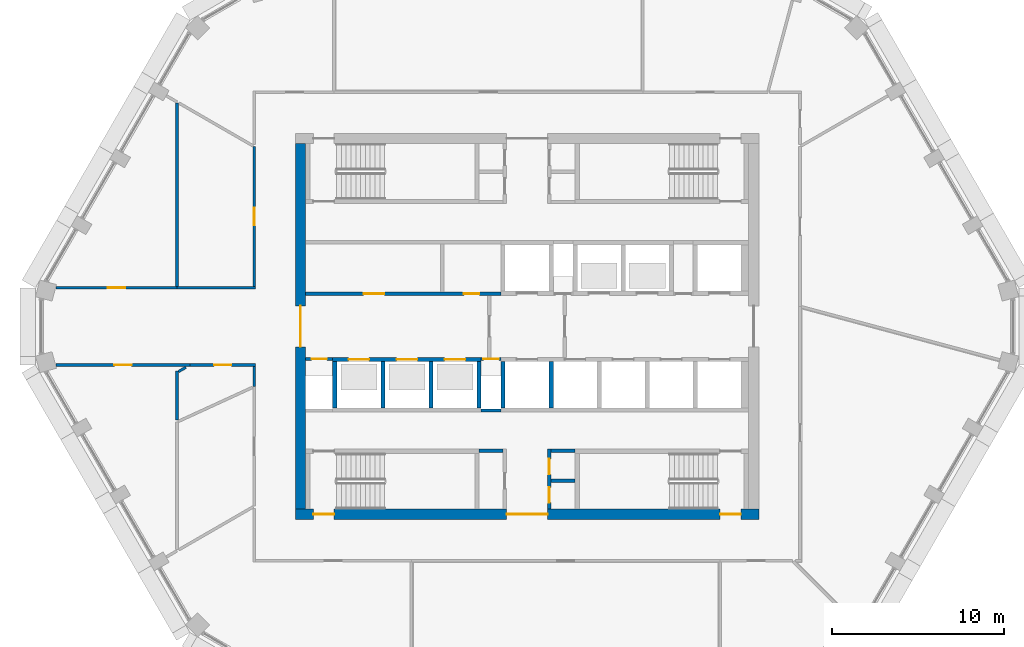
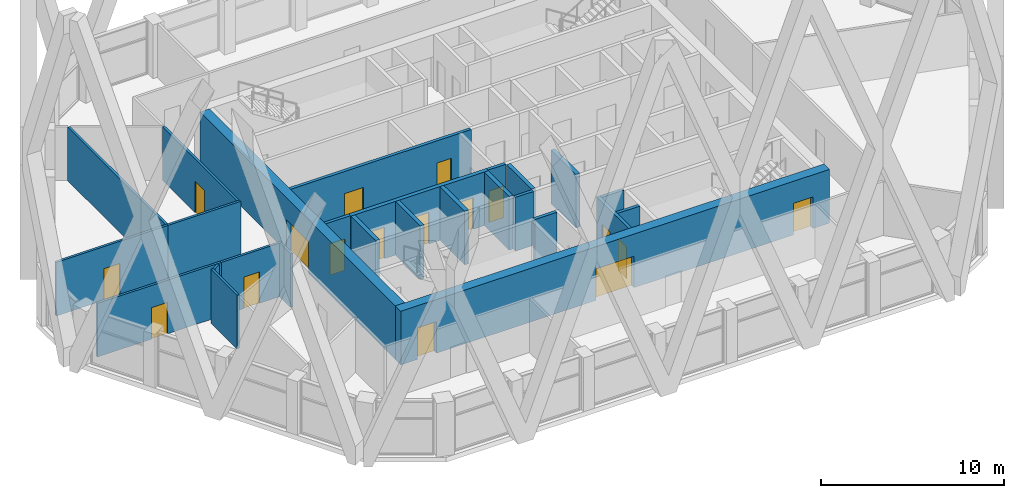
# One storey, part 9 of 20: 26 walls, 17 doors, 17 openings.
"""IFC4 building model written with IfcOpenShell, lengths in metres."""

from ifc_helpers import new_model, si_unit, direction, frame, frame_2d, origin, place, context, subcontext, project, spatial, polyline, rectangle, outline, extrude, material, layer, layer_set, type_object, element, fill, save


model = new_model("IFC4")

# Units and contexts
model_context = context("Model", 3, precision=1e-05, world=origin(), true_north=direction((0.0, 1.0)))
body_context = subcontext(model_context, "Body", "Model", "MODEL_VIEW")
ifc_project = project(units=[si_unit("LENGTHUNIT", "METRE"), si_unit("AREAUNIT", "SQUARE_METRE"), si_unit("VOLUMEUNIT", "CUBIC_METRE"), si_unit("PLANEANGLEUNIT", "RADIAN"), si_unit("MASSUNIT", "GRAM", prefix="KILO")], contexts=[model_context])

# Site, building, storey
site_placement = place(None, origin())
site = spatial("IfcSite", under=ifc_project, at=site_placement, CompositionType="ELEMENT")
building_placement = place(site_placement, origin())
building = spatial("IfcBuilding", under=site, at=building_placement, Name="Dhurran Vertical Campus", CompositionType="ELEMENT")
storey_placement = place(building_placement, frame((0.0, 0.0, 235.199951171875)))
storey = spatial("IfcBuildingStorey", under=building, at=storey_placement, Name="L58", CompositionType="ELEMENT", Elevation=235.199951171875)

# Wall, openings, doors
ifc_material_1 = material(Name="Concrete C50/60", Category="concrete")
ifc_layer_1 = layer(ifc_material_1, 0.60009765625)
ifc_layer_set_1 = layer_set([ifc_layer_1], Name="Concrete C50/60")
wall_type_1 = type_object("IfcWallType", Name="co-CORE-WALL-C2-600", PredefinedType="SHEAR", material=ifc_layer_set_1)
wall_1_placement = place(storey_placement, frame((-13.5, -10.949951171875, 0.0), z_axis=(0.0, 0.0, 1.0), x_axis=(1.0, 0.0, 0.0)))
wall_1 = element("IfcWall", 1, at=wall_1_placement, inside=storey, type_object=wall_type_1, Name="Core wall S L58", PredefinedType="SHEAR", context=body_context, shape_type="SweptSolid", body=[
    extrude(rectangle(XDim=27.0, YDim=0.60009765625, at=frame_2d((13.5, 0.0))), origin(), (0.0, 0.0, 1.0), 3.574951171875),
])
opening_1_placement = place(wall_1_placement, frame((12.300048828125, 0.0, 0.0)))
opening_1 = element("IfcOpeningElement", 2, at=opening_1_placement, cuts=wall_1, Name="Opening CV2", PredefinedType="OPENING", context=body_context, shape_type="SweptSolid", body=[
    extrude(rectangle(XDim=2.39990234375, YDim=2.10009765625, at=frame_2d((1.199951171875, 1.050048828125))), frame((0.0, 0.31005859375, 0.0), z_axis=(0.0, -1.0, 0.0), x_axis=(1.0, 0.0, 0.0)), (0.0, 0.0, 1.0), 0.6201171875),
])
opening_2_placement = place(wall_1_placement, frame((1.050048828125, 0.0, 0.0)))
opening_2 = element("IfcOpeningElement", 3, at=opening_2_placement, cuts=wall_1, Name="Opening XD3", PredefinedType="OPENING", context=body_context, shape_type="SweptSolid", body=[
    extrude(rectangle(XDim=1.199951171875, YDim=2.10009765625, at=frame_2d((0.60009765625, 1.050048828125))), frame((0.0, 0.31005859375, 0.0), z_axis=(0.0, -1.0, 0.0), x_axis=(1.0, 0.0, 0.0)), (0.0, 0.0, 1.0), 0.6201171875),
])
opening_3_placement = place(wall_1_placement, frame((24.75, 0.0, 0.0)))
opening_3 = element("IfcOpeningElement", 4, at=opening_3_placement, cuts=wall_1, Name="Opening XD4", PredefinedType="OPENING", context=body_context, shape_type="SweptSolid", body=[
    extrude(rectangle(XDim=1.199951171875, YDim=2.10009765625, at=frame_2d((0.60009765625, 1.050048828125))), frame((0.0, 0.31005859375, 0.0), z_axis=(0.0, -1.0, 0.0), x_axis=(1.0, 0.0, 0.0)), (0.0, 0.0, 1.0), 0.6201171875),
])
ifc_material_2 = material(Name="Fire-rated glazed door set")
door_type_1 = type_object("IfcDoorType", Name="co-D-LOBBY 2400x2100", OperationType="DOUBLE_DOOR_DOUBLE_SWING", PredefinedType="DOOR", material=ifc_material_2)
door_1_placement = place(opening_1_placement, origin())
door_1 = element("IfcDoor", 5, at=door_1_placement, inside=storey, type_object=door_type_1, Name="Core vestibule door S L58", OperationType="DOUBLE_DOOR_DOUBLE_SWING", OverallHeight=2.10009765625, OverallWidth=2.39990234375, PredefinedType="DOOR", context=body_context, shape_type="SweptSolid", body=[
    extrude(rectangle(XDim=2.39990234375, YDim=2.10009765625, at=frame_2d((1.199951171875, 1.050048828125))), frame((0.0, 0.02490234375, 0.0), z_axis=(0.0, -1.0, 0.0), x_axis=(1.0, 0.0, 0.0)), (0.0, 0.0, 1.0), 0.050048828125),
])
fill(opening_1, door_1)
ifc_material_3 = material(Name="Fire-rated steel door set", Category="steel")
door_type_2 = type_object("IfcDoorType", Name="co-D-STAIR-EXIT 1200x2100", OperationType="SINGLE_SWING_RIGHT", PredefinedType="DOOR", material=ifc_material_3)
door_2_placement = place(opening_2_placement, origin())
door_2 = element("IfcDoor", 6, at=door_2_placement, inside=storey, type_object=door_type_2, Name="Stair ST3 exit door L58", OperationType="SINGLE_SWING_RIGHT", OverallHeight=2.10009765625, OverallWidth=1.199951171875, PredefinedType="DOOR", context=body_context, shape_type="SweptSolid", body=[
    extrude(rectangle(XDim=1.199951171875, YDim=2.10009765625, at=frame_2d((0.60009765625, 1.050048828125))), frame((0.0, 0.02490234375, 0.0), z_axis=(0.0, -1.0, 0.0), x_axis=(1.0, 0.0, 0.0)), (0.0, 0.0, 1.0), 0.050048828125),
])
fill(opening_2, door_2)
door_3_placement = place(opening_3_placement, origin())
door_3 = element("IfcDoor", 7, at=door_3_placement, inside=storey, type_object=door_type_2, Name="Stair ST4 exit door L58", OperationType="SINGLE_SWING_RIGHT", OverallHeight=2.10009765625, OverallWidth=1.199951171875, PredefinedType="DOOR", context=body_context, shape_type="SweptSolid", body=[
    extrude(rectangle(XDim=1.199951171875, YDim=2.10009765625, at=frame_2d((0.60009765625, 1.050048828125))), frame((0.0, 0.02490234375, 0.0), z_axis=(0.0, -1.0, 0.0), x_axis=(1.0, 0.0, 0.0)), (0.0, 0.0, 1.0), 0.050048828125),
])
fill(opening_3, door_3)

# Wall, opening, door
wall_2_placement = place(storey_placement, frame((-13.199951171875, -10.64990234375, 0.0), z_axis=(0.0, 0.0, 1.0), x_axis=(0.0, 1.0, 0.0)))
wall_2 = element("IfcWall", 8, at=wall_2_placement, inside=storey, type_object=wall_type_1, Name="Core wall W L58", PredefinedType="SHEAR", context=body_context, shape_type="SweptSolid", body=[
    extrude(rectangle(XDim=21.2998046875, YDim=0.60009765625, at=frame_2d((10.64990234375, 0.0))), origin(), (0.0, 0.0, 1.0), 3.574951171875),
])
opening_4_placement = place(wall_2_placement, frame((9.449951171875, 0.0, 0.0)))
opening_4 = element("IfcOpeningElement", 9, at=opening_4_placement, cuts=wall_2, Name="Opening CL1", PredefinedType="OPENING", context=body_context, shape_type="SweptSolid", body=[
    extrude(rectangle(XDim=2.39990234375, YDim=2.10009765625, at=frame_2d((1.199951171875, 1.050048828125))), frame((0.0, 0.31005859375, 0.0), z_axis=(0.0, -1.0, 0.0), x_axis=(1.0, 0.0, 0.0)), (0.0, 0.0, 1.0), 0.6201171875),
])
door_4_placement = place(opening_4_placement, origin())
door_4 = element("IfcDoor", 10, at=door_4_placement, inside=storey, type_object=door_type_1, Name="Lift lobby door W L58", OperationType="DOUBLE_DOOR_DOUBLE_SWING", OverallHeight=2.10009765625, OverallWidth=2.39990234375, PredefinedType="DOOR", context=body_context, shape_type="SweptSolid", body=[
    extrude(rectangle(XDim=2.39990234375, YDim=2.10009765625, at=frame_2d((1.199951171875, 1.050048828125))), frame((0.0, 0.02490234375, 0.0), z_axis=(0.0, -1.0, 0.0), x_axis=(1.0, 0.0, 0.0)), (0.0, 0.0, 1.0), 0.050048828125),
])
fill(opening_4, door_4)

# Walls
ifc_material_4 = material(Name="Fire-rated masonry blockwork", Category="masonry")
ifc_layer_2 = layer(ifc_material_4, 0.199951171875)
ifc_layer_set_2 = layer_set([ifc_layer_2], Name="Fire-rated masonry blockwork")
wall_type_2 = type_object("IfcWallType", Name="co-FIRE-PARTITION-200", PredefinedType="PARTITIONING", material=ifc_layer_set_2)
for number, where, z_axis, x_axis, name in (
    (11, (-2.800048828125, -7.25, 0.0), (0.0, 0.0, 1.0), (1.0, 0.0, 0.0), "Core partition sl-SW-S L58"),
    (12, (1.39990234375, -7.25, 0.0), (0.0, 0.0, 1.0), (1.0, 0.0, 0.0), "Core partition sl-SE-S L58"),
    (13, (1.39990234375, -9.0, 0.0), (0.0, 0.0, 1.0), (1.0, 0.0, 0.0), "Core partition sl-SE-cut0 L58"),
):
    element("IfcWall", number, at=place(storey_placement, frame(where, z_axis=z_axis, x_axis=x_axis)), inside=storey, type_object=wall_type_2, Name=name, PredefinedType="PARTITIONING", context=body_context, shape_type="SweptSolid", body=[
        extrude(rectangle(XDim=1.400146484375, YDim=0.199951171875, at=frame_2d((0.7001953125, 0.0))), origin(), (0.0, 0.0, 1.0), 3.574951171875),
    ])

# Wall, openings, doors
wall_3_placement = place(storey_placement, frame((1.300048828125, -10.64990234375, 0.0), z_axis=(0.0, 0.0, 1.0), x_axis=(0.0, 1.0, 0.0)))
wall_3 = element("IfcWall", 14, at=wall_3_placement, inside=storey, type_object=wall_type_2, Name="Core partition vest-SE L58", PredefinedType="PARTITIONING", context=body_context, shape_type="SweptSolid", body=[
    extrude(rectangle(XDim=3.5, YDim=0.199951171875, at=frame_2d((1.75, 0.0))), origin(), (0.0, 0.0, 1.0), 3.574951171875),
])
opening_5_placement = place(wall_3_placement, frame((0.375, 0.0, 0.0)))
opening_5 = element("IfcOpeningElement", 15, at=opening_5_placement, cuts=wall_3, Name="Opening T17-C2", PredefinedType="OPENING", context=body_context, shape_type="SweptSolid", body=[
    extrude(rectangle(XDim=0.89990234375, YDim=2.10009765625, at=frame_2d((0.449951171875, 1.050048828125))), frame((0.0, 0.10986328125, 0.0), z_axis=(0.0, -1.0, 0.0), x_axis=(1.0, 0.0, 0.0)), (0.0, 0.0, 1.0), 0.219970703125),
])
opening_6_placement = place(wall_3_placement, frame((2.02490234375, 0.0, 0.0)))
opening_6 = element("IfcOpeningElement", 16, at=opening_6_placement, cuts=wall_3, Name="Opening T17-C3", PredefinedType="OPENING", context=body_context, shape_type="SweptSolid", body=[
    extrude(rectangle(XDim=0.89990234375, YDim=2.10009765625, at=frame_2d((0.449951171875, 1.050048828125))), frame((0.0, 0.10986328125, 0.0), z_axis=(0.0, -1.0, 0.0), x_axis=(1.0, 0.0, 0.0)), (0.0, 0.0, 1.0), 0.219970703125),
])
ifc_material_5 = material(Name="Fire-rated timber door set", Category="wood")
door_type_3 = type_object("IfcDoorType", Name="co-D-ROOM 900x2100", OperationType="SINGLE_SWING_LEFT", PredefinedType="DOOR", material=ifc_material_5)
door_5_placement = place(opening_5_placement, origin())
door_5 = element("IfcDoor", 17, at=door_5_placement, inside=storey, type_object=door_type_3, Name="Communications room door L58", OperationType="SINGLE_SWING_LEFT", OverallHeight=2.10009765625, OverallWidth=0.89990234375, PredefinedType="DOOR", context=body_context, shape_type="SweptSolid", body=[
    extrude(rectangle(XDim=0.89990234375, YDim=2.10009765625, at=frame_2d((0.449951171875, 1.050048828125))), frame((0.0, 0.02490234375, 0.0), z_axis=(0.0, -1.0, 0.0), x_axis=(1.0, 0.0, 0.0)), (0.0, 0.0, 1.0), 0.050048828125),
])
fill(opening_5, door_5)
door_6_placement = place(opening_6_placement, origin())
door_6 = element("IfcDoor", 18, at=door_6_placement, inside=storey, type_object=door_type_3, Name="Plant room door L58", OperationType="SINGLE_SWING_LEFT", OverallHeight=2.10009765625, OverallWidth=0.89990234375, PredefinedType="DOOR", context=body_context, shape_type="SweptSolid", body=[
    extrude(rectangle(XDim=0.89990234375, YDim=2.10009765625, at=frame_2d((0.449951171875, 1.050048828125))), frame((0.0, 0.02490234375, 0.0), z_axis=(0.0, -1.0, 0.0), x_axis=(1.0, 0.0, 0.0)), (0.0, 0.0, 1.0), 0.050048828125),
])
fill(opening_6, door_6)

wall_4_placement = place(storey_placement, frame((-12.89990234375, 1.89990234375, 0.0), z_axis=(0.0, 0.0, 1.0), x_axis=(1.0, 0.0, 0.0)))
wall_4 = element("IfcWall", 19, at=wall_4_placement, inside=storey, type_object=wall_type_2, Name="Core partition fr-N0-f L58", PredefinedType="PARTITIONING", context=body_context, shape_type="SweptSolid", body=[
    extrude(rectangle(XDim=11.375, YDim=0.199951171875, at=frame_2d((5.6875, 0.0))), origin(), (0.0, 0.0, 1.0), 3.574951171875),
])
opening_7_placement = place(wall_4_placement, frame((3.381103515625, 0.0, 0.0)))
opening_7 = element("IfcOpeningElement", 20, at=opening_7_placement, cuts=wall_4, Name="Opening T17-C8", PredefinedType="OPENING", context=body_context, shape_type="SweptSolid", body=[
    extrude(rectangle(XDim=1.199951171875, YDim=2.10009765625, at=frame_2d((0.60009765625, 1.050048828125))), frame((0.0, 0.10986328125, 0.0), z_axis=(0.0, -1.0, 0.0), x_axis=(1.0, 0.0, 0.0)), (0.0, 0.0, 1.0), 0.219970703125),
])
opening_8_placement = place(wall_4_placement, frame((9.21875, 0.0, 0.0)))
opening_8 = element("IfcOpeningElement", 21, at=opening_8_placement, cuts=wall_4, Name="Opening T17-C9", PredefinedType="OPENING", context=body_context, shape_type="SweptSolid", body=[
    extrude(rectangle(XDim=0.89990234375, YDim=2.10009765625, at=frame_2d((0.449951171875, 1.050048828125))), frame((0.0, 0.10986328125, 0.0), z_axis=(0.0, -1.0, 0.0), x_axis=(1.0, 0.0, 0.0)), (0.0, 0.0, 1.0), 0.219970703125),
])
door_7_placement = place(opening_8_placement, origin())
door_7 = element("IfcDoor", 22, at=door_7_placement, inside=storey, type_object=door_type_3, Name="Cleaner's store door L58", OperationType="SINGLE_SWING_LEFT", OverallHeight=2.10009765625, OverallWidth=0.89990234375, PredefinedType="DOOR", context=body_context, shape_type="SweptSolid", body=[
    extrude(rectangle(XDim=0.89990234375, YDim=2.10009765625, at=frame_2d((0.449951171875, 1.050048828125))), frame((0.0, 0.02490234375, 0.0), z_axis=(0.0, -1.0, 0.0), x_axis=(1.0, 0.0, 0.0)), (0.0, 0.0, 1.0), 0.050048828125),
])
fill(opening_8, door_7)
ifc_material_6 = material(Name="Fire-rated steel door set", Category="steel")
door_type_4 = type_object("IfcDoorType", Name="co-D-ROOM-PASSAGE 1200x2100", OperationType="SINGLE_SWING_RIGHT", PredefinedType="DOOR", material=ifc_material_6)
door_8_placement = place(opening_7_placement, origin())
door_8 = element("IfcDoor", 23, at=door_8_placement, inside=storey, type_object=door_type_4, Name="Print room door L58", OperationType="SINGLE_SWING_RIGHT", OverallHeight=2.10009765625, OverallWidth=1.199951171875, PredefinedType="DOOR", context=body_context, shape_type="SweptSolid", body=[
    extrude(rectangle(XDim=1.199951171875, YDim=2.10009765625, at=frame_2d((0.60009765625, 1.050048828125))), frame((0.0, 0.02490234375, 0.0), z_axis=(0.0, -1.0, 0.0), x_axis=(1.0, 0.0, 0.0)), (0.0, 0.0, 1.0), 0.050048828125),
])
fill(opening_7, door_8)

# Wall, opening, door
wall_5_placement = place(storey_placement, frame((-12.89990234375, -1.89990234375, 0.0), z_axis=(0.0, 0.0, 1.0), x_axis=(1.0, 0.0, 0.0)))
wall_5 = element("IfcWall", 24, at=wall_5_placement, inside=storey, type_object=wall_type_2, Name="Core partition fr-S0-f L58", PredefinedType="PARTITIONING", context=body_context, shape_type="SweptSolid", body=[
    extrude(rectangle(XDim=1.574951171875, YDim=0.199951171875, at=frame_2d((0.78759765625, 0.0))), origin(), (0.0, 0.0, 1.0), 3.574951171875),
])
opening_9_placement = place(wall_5_placement, frame((0.33740234375, 0.0, 0.0)))
opening_9 = element("IfcOpeningElement", 25, at=opening_9_placement, cuts=wall_5, Name="Opening T17-C12", PredefinedType="OPENING", context=body_context, shape_type="SweptSolid", body=[
    extrude(rectangle(XDim=0.89990234375, YDim=2.10009765625, at=frame_2d((0.449951171875, 1.050048828125))), frame((0.0, 0.10986328125, 0.0), z_axis=(0.0, -1.0, 0.0), x_axis=(1.0, 0.0, 0.0)), (0.0, 0.0, 1.0), 0.219970703125),
])
door_9_placement = place(opening_9_placement, origin())
door_9 = element("IfcDoor", 26, at=door_9_placement, inside=storey, type_object=door_type_3, Name="Electrical riser door L58", OperationType="SINGLE_SWING_LEFT", OverallHeight=2.10009765625, OverallWidth=0.89990234375, PredefinedType="DOOR", context=body_context, shape_type="SweptSolid", body=[
    extrude(rectangle(XDim=0.89990234375, YDim=2.10009765625, at=frame_2d((0.449951171875, 1.050048828125))), frame((0.0, 0.02490234375, 0.0), z_axis=(0.0, -1.0, 0.0), x_axis=(1.0, 0.0, 0.0)), (0.0, 0.0, 1.0), 0.050048828125),
])
fill(opening_9, door_9)

wall_6_placement = place(storey_placement, frame((-2.675048828125, -1.89990234375, 0.0), z_axis=(0.0, 0.0, 1.0), x_axis=(1.0, 0.0, 0.0)))
wall_6 = element("IfcWall", 27, at=wall_6_placement, inside=storey, type_object=wall_type_2, Name="Core partition fr-S1-f L58", PredefinedType="PARTITIONING", context=body_context, shape_type="SweptSolid", body=[
    extrude(rectangle(XDim=1.150146484375, YDim=0.199951171875, at=frame_2d((0.5751953125, 0.0))), origin(), (0.0, 0.0, 1.0), 3.574951171875),
])
opening_10_placement = place(wall_6_placement, frame((0.125, 0.0, 0.0)))
opening_10 = element("IfcOpeningElement", 28, at=opening_10_placement, cuts=wall_6, Name="Opening T17-C13", PredefinedType="OPENING", context=body_context, shape_type="SweptSolid", body=[
    extrude(rectangle(XDim=0.89990234375, YDim=2.10009765625, at=frame_2d((0.449951171875, 1.050048828125))), frame((0.0, 0.10986328125, 0.0), z_axis=(0.0, -1.0, 0.0), x_axis=(1.0, 0.0, 0.0)), (0.0, 0.0, 1.0), 0.219970703125),
])
door_10_placement = place(opening_10_placement, origin())
door_10 = element("IfcDoor", 29, at=door_10_placement, inside=storey, type_object=door_type_3, Name="Communications riser door L58", OperationType="SINGLE_SWING_LEFT", OverallHeight=2.10009765625, OverallWidth=0.89990234375, PredefinedType="DOOR", context=body_context, shape_type="SweptSolid", body=[
    extrude(rectangle(XDim=0.89990234375, YDim=2.10009765625, at=frame_2d((0.449951171875, 1.050048828125))), frame((0.0, 0.02490234375, 0.0), z_axis=(0.0, -1.0, 0.0), x_axis=(1.0, 0.0, 0.0)), (0.0, 0.0, 1.0), 0.050048828125),
])
fill(opening_10, door_10)

# Wall
wall_7_placement = place(storey_placement, frame((-2.675048828125, -4.89990234375, 0.0), z_axis=(0.0, 0.0, 1.0), x_axis=(1.0, 0.0, 0.0)))
element("IfcWall", 30, at=wall_7_placement, inside=storey, type_object=wall_type_2, Name="Core partition fr-S1-b L58", PredefinedType="PARTITIONING", context=body_context, shape_type="SweptSolid", body=[
    extrude(rectangle(XDim=1.150146484375, YDim=0.199951171875, at=frame_2d((0.5751953125, 0.0))), origin(), (0.0, 0.0, 1.0), 3.574951171875),
])

# Wall, openings, doors
ifc_material_7 = material(Name="Concrete C50/60", Category="concrete")
ifc_layer_3 = layer(ifc_material_7, 0.25)
ifc_layer_set_3 = layer_set([ifc_layer_3], Name="Concrete C50/60")
wall_type_3 = type_object("IfcWallType", Name="co-SHAFT-FRONT-250", PredefinedType="SHEAR", material=ifc_layer_set_3)
wall_8_placement = place(storey_placement, frame((-11.324951171875, -1.925048828125, 0.0), z_axis=(0.0, 0.0, 1.0), x_axis=(1.0, 0.0, 0.0)))
wall_8 = element("IfcWall", 31, at=wall_8_placement, inside=storey, type_object=wall_type_3, Name="Lift landing wall S L58", PredefinedType="SHEAR", context=body_context, shape_type="SweptSolid", body=[
    extrude(rectangle(XDim=8.64990234375, YDim=0.25, at=frame_2d((4.324951171875, 0.0))), origin(), (0.0, 0.0, 1.0), 3.574951171875),
])
opening_11_placement = place(wall_8_placement, frame((0.925048828125, 0.0, 0.0)))
opening_11 = element("IfcOpeningElement", 32, at=opening_11_placement, cuts=wall_8, Name="Opening LD", PredefinedType="OPENING", context=body_context, shape_type="SweptSolid", body=[
    extrude(rectangle(XDim=1.199951171875, YDim=2.10009765625, at=frame_2d((0.60009765625, 1.050048828125))), frame((0.0, 0.135009765625, 0.0), z_axis=(0.0, -1.0, 0.0), x_axis=(1.0, 0.0, 0.0)), (0.0, 0.0, 1.0), 0.27001953125),
])
opening_12_placement = place(wall_8_placement, frame((3.72509765625, 0.0, 0.0)))
opening_12 = element("IfcOpeningElement", 33, at=opening_12_placement, cuts=wall_8, Name="Opening LD", PredefinedType="OPENING", context=body_context, shape_type="SweptSolid", body=[
    extrude(rectangle(XDim=1.199951171875, YDim=2.10009765625, at=frame_2d((0.60009765625, 1.050048828125))), frame((0.0, 0.135009765625, 0.0), z_axis=(0.0, -1.0, 0.0), x_axis=(1.0, 0.0, 0.0)), (0.0, 0.0, 1.0), 0.27001953125),
])
opening_13_placement = place(wall_8_placement, frame((6.52490234375, 0.0, 0.0)))
opening_13 = element("IfcOpeningElement", 34, at=opening_13_placement, cuts=wall_8, Name="Opening LD", PredefinedType="OPENING", context=body_context, shape_type="SweptSolid", body=[
    extrude(rectangle(XDim=1.199951171875, YDim=2.10009765625, at=frame_2d((0.60009765625, 1.050048828125))), frame((0.0, 0.135009765625, 0.0), z_axis=(0.0, -1.0, 0.0), x_axis=(1.0, 0.0, 0.0)), (0.0, 0.0, 1.0), 0.27001953125),
])
ifc_material_8 = material(Name="Stainless steel landing door", Category="steel")
door_type_5 = type_object("IfcDoorType", Name="co-D-LANDING 1200x2100", OperationType="DOUBLE_DOOR_SLIDING", PredefinedType="DOOR", material=ifc_material_8)
door_11_placement = place(opening_11_placement, origin())
door_11 = element("IfcDoor", 35, at=door_11_placement, inside=storey, type_object=door_type_5, Name="Landing door HR3 L58", OperationType="DOUBLE_DOOR_SLIDING", OverallHeight=2.10009765625, OverallWidth=1.199951171875, PredefinedType="DOOR", context=body_context, shape_type="SweptSolid", body=[
    extrude(rectangle(XDim=1.199951171875, YDim=2.10009765625, at=frame_2d((0.60009765625, 1.050048828125))), frame((0.0, 0.02490234375, 0.0), z_axis=(0.0, -1.0, 0.0), x_axis=(1.0, 0.0, 0.0)), (0.0, 0.0, 1.0), 0.050048828125),
])
fill(opening_11, door_11)
door_12_placement = place(opening_12_placement, origin())
door_12 = element("IfcDoor", 36, at=door_12_placement, inside=storey, type_object=door_type_5, Name="Landing door HR4 L58", OperationType="DOUBLE_DOOR_SLIDING", OverallHeight=2.10009765625, OverallWidth=1.199951171875, PredefinedType="DOOR", context=body_context, shape_type="SweptSolid", body=[
    extrude(rectangle(XDim=1.199951171875, YDim=2.10009765625, at=frame_2d((0.60009765625, 1.050048828125))), frame((0.0, 0.02490234375, 0.0), z_axis=(0.0, -1.0, 0.0), x_axis=(1.0, 0.0, 0.0)), (0.0, 0.0, 1.0), 0.050048828125),
])
fill(opening_12, door_12)
door_13_placement = place(opening_13_placement, origin())
door_13 = element("IfcDoor", 37, at=door_13_placement, inside=storey, type_object=door_type_5, Name="Landing door HR5 L58", OperationType="DOUBLE_DOOR_SLIDING", OverallHeight=2.10009765625, OverallWidth=1.199951171875, PredefinedType="DOOR", context=body_context, shape_type="SweptSolid", body=[
    extrude(rectangle(XDim=1.199951171875, YDim=2.10009765625, at=frame_2d((0.60009765625, 1.050048828125))), frame((0.0, 0.02490234375, 0.0), z_axis=(0.0, -1.0, 0.0), x_axis=(1.0, 0.0, 0.0)), (0.0, 0.0, 1.0), 0.050048828125),
])
fill(opening_13, door_13)

# Walls
ifc_material_9 = material(Name="Concrete C50/60", Category="concrete")
ifc_layer_4 = layer(ifc_material_9, 0.25)
ifc_layer_set_4 = layer_set([ifc_layer_4], Name="Concrete C50/60")
wall_type_4 = type_object("IfcWallType", Name="co-SHAFT-MASS-250", PredefinedType="SHEAR", material=ifc_layer_set_4)
wall_9_placement = place(storey_placement, origin())
element("IfcWall", 38, at=wall_9_placement, inside=storey, type_object=wall_type_4, Name="Lift shaft wall S L58 3", PredefinedType="SHEAR", context=body_context, shape_type="SweptSolid", body=[
    extrude(outline(polyline([(-11.324951171875, -4.75), (-11.074951171875, -4.75), (-11.074951171875, -2.050048828125), (-11.324951171875, -2.050048828125), (-11.324951171875, -4.75)])), origin(), (0.0, 0.0, 1.0), 3.574951171875),
])
wall_10_placement = place(storey_placement, origin())
element("IfcWall", 39, at=wall_10_placement, inside=storey, type_object=wall_type_4, Name="Lift shaft wall S L58 4", PredefinedType="SHEAR", context=body_context, shape_type="SweptSolid", body=[
    extrude(outline(polyline([(-8.52490234375, -4.75), (-8.27490234375, -4.75), (-8.27490234375, -2.050048828125), (-8.52490234375, -2.050048828125), (-8.52490234375, -4.75)])), origin(), (0.0, 0.0, 1.0), 3.574951171875),
])
wall_11_placement = place(storey_placement, origin())
element("IfcWall", 40, at=wall_11_placement, inside=storey, type_object=wall_type_4, Name="Lift shaft wall S L58 5", PredefinedType="SHEAR", context=body_context, shape_type="SweptSolid", body=[
    extrude(outline(polyline([(-5.72509765625, -4.75), (-5.47509765625, -4.75), (-5.47509765625, -2.050048828125), (-5.72509765625, -2.050048828125), (-5.72509765625, -4.75)])), origin(), (0.0, 0.0, 1.0), 3.574951171875),
])
wall_12_placement = place(storey_placement, origin())
element("IfcWall", 41, at=wall_12_placement, inside=storey, type_object=wall_type_4, Name="Lift shaft wall S L58 6", PredefinedType="SHEAR", context=body_context, shape_type="SweptSolid", body=[
    extrude(outline(polyline([(-2.925048828125, -4.75), (-2.675048828125, -4.75), (-2.675048828125, -2.050048828125), (-2.925048828125, -2.050048828125), (-2.925048828125, -4.75)])), origin(), (0.0, 0.0, 1.0), 3.574951171875),
])
wall_13_placement = place(storey_placement, origin())
element("IfcWall", 42, at=wall_13_placement, inside=storey, type_object=wall_type_4, Name="Lift shaft wall S L58 7", PredefinedType="SHEAR", context=body_context, shape_type="SweptSolid", body=[
    extrude(outline(polyline([(-1.52490234375, -4.75), (-1.27490234375, -4.75), (-1.27490234375, -2.050048828125), (-1.52490234375, -2.050048828125), (-1.52490234375, -4.75)])), origin(), (0.0, 0.0, 1.0), 3.574951171875),
])
wall_14_placement = place(storey_placement, origin())
element("IfcWall", 43, at=wall_14_placement, inside=storey, type_object=wall_type_4, Name="Lift shaft wall S L58 8", PredefinedType="SHEAR", context=body_context, shape_type="SweptSolid", body=[
    extrude(outline(polyline([(1.27490234375, -4.75), (1.52490234375, -4.75), (1.52490234375, -2.050048828125), (1.27490234375, -2.050048828125), (1.27490234375, -4.75)])), origin(), (0.0, 0.0, 1.0), 3.574951171875),
])

# Wall, opening, door
ifc_material_10 = material(Name="Gypsum board corridor wall on steel studs", Category="steel")
ifc_layer_5 = layer(ifc_material_10, 0.14990234375)
ifc_layer_set_5 = layer_set([ifc_layer_5], Name="Gypsum board corridor wall on steel studs")
wall_type_5 = type_object("IfcWallType", Name="fl-CW-150 corridor wall", PredefinedType="PARTITIONING", material=ifc_layer_set_5)
wall_15_placement = place(storey_placement, frame((-19.64697265625, -2.25, 0.0), z_axis=(0.0, 0.0, 1.0), x_axis=(-1.0, 0.0, 0.0)))
wall_15 = element("IfcWall", 44, at=wall_15_placement, inside=storey, type_object=wall_type_5, Name="Partition 58-01", PredefinedType="PARTITIONING", context=body_context, shape_type="SweptSolid", body=[
    extrude(rectangle(XDim=7.805419921875, YDim=0.14990234375, at=frame_2d((3.90283203125, 0.0))), origin(), (0.0, 0.0, 1.0), 3.574951171875),
])
opening_14_placement = place(wall_15_placement, frame((3.402587890625, 0.0, 0.0)))
opening_14 = element("IfcOpeningElement", 45, at=opening_14_placement, cuts=wall_15, Name="Opening T17.02", PredefinedType="OPENING", context=body_context, shape_type="SweptSolid", body=[
    extrude(rectangle(XDim=1.0, YDim=2.10009765625, at=frame_2d((0.5, 1.050048828125))), frame((0.0, 0.0849609375, 0.0), z_axis=(0.0, -1.0, 0.0), x_axis=(1.0, 0.0, 0.0)), (0.0, 0.0, 1.0), 0.169921875),
])
ifc_material_11 = material(Name="Solid-core timber door set, fire-rated", Category="wood")
door_type_6 = type_object("IfcDoorType", Name="fl-D-1000x2100", OperationType="SINGLE_SWING_LEFT", PredefinedType="DOOR", material=ifc_material_11)
door_14_placement = place(opening_14_placement, origin())
door_14 = element("IfcDoor", 46, at=door_14_placement, inside=storey, type_object=door_type_6, Name="Door 58.02", OperationType="SINGLE_SWING_RIGHT", OverallHeight=2.10009765625, OverallWidth=1.0, PredefinedType="DOOR", context=body_context, shape_type="SweptSolid", body=[
    extrude(rectangle(XDim=1.0, YDim=2.10009765625, at=frame_2d((0.5, 1.050048828125))), frame((0.0, 0.02490234375, 0.0), z_axis=(0.0, -1.0, 0.0), x_axis=(1.0, 0.0, 0.0)), (0.0, 0.0, 1.0), 0.050048828125),
])
fill(opening_14, door_14)

wall_16_placement = place(storey_placement, frame((-27.452392578125, 2.25, 0.0), z_axis=(0.0, 0.0, 1.0), x_axis=(1.0, 0.0, 0.0)))
wall_16 = element("IfcWall", 47, at=wall_16_placement, inside=storey, type_object=wall_type_5, Name="Partition 58-02", PredefinedType="PARTITIONING", context=body_context, shape_type="SweptSolid", body=[
    extrude(rectangle(XDim=7.052490234375, YDim=0.14990234375, at=frame_2d((3.5263671875, 0.0))), origin(), (0.0, 0.0, 1.0), 3.574951171875),
])
opening_15_placement = place(wall_16_placement, frame((3.026123046875, 0.0, 0.0)))
opening_15 = element("IfcOpeningElement", 48, at=opening_15_placement, cuts=wall_16, Name="Opening T17.01", PredefinedType="OPENING", context=body_context, shape_type="SweptSolid", body=[
    extrude(rectangle(XDim=1.0, YDim=2.10009765625, at=frame_2d((0.5, 1.050048828125))), frame((0.0, 0.0849609375, 0.0), z_axis=(0.0, -1.0, 0.0), x_axis=(1.0, 0.0, 0.0)), (0.0, 0.0, 1.0), 0.169921875),
])
door_15_placement = place(opening_15_placement, origin())
door_15 = element("IfcDoor", 49, at=door_15_placement, inside=storey, type_object=door_type_6, Name="Door 58.01", OperationType="SINGLE_SWING_LEFT", OverallHeight=2.10009765625, OverallWidth=1.0, PredefinedType="DOOR", context=body_context, shape_type="SweptSolid", body=[
    extrude(rectangle(XDim=1.0, YDim=2.10009765625, at=frame_2d((0.5, 1.050048828125))), frame((0.0, 0.02490234375, 0.0), z_axis=(0.0, -1.0, 0.0), x_axis=(1.0, 0.0, 0.0)), (0.0, 0.0, 1.0), 0.050048828125),
])
fill(opening_15, door_15)

# Wall
wall_17_placement = place(storey_placement, frame((-20.39990234375, 2.25, 0.0), z_axis=(0.0, 0.0, 1.0), x_axis=(1.0, 0.0, 0.0)))
element("IfcWall", 50, at=wall_17_placement, inside=storey, type_object=wall_type_5, Name="Partition 58-11", PredefinedType="PARTITIONING", context=body_context, shape_type="SweptSolid", body=[
    extrude(rectangle(XDim=4.574951171875, YDim=0.14990234375, at=frame_2d((2.28759765625, 0.0))), origin(), (0.0, 0.0, 1.0), 3.574951171875),
])

# Wall, opening, door
wall_18_placement = place(storey_placement, frame((-15.824951171875, -2.25, 0.0), z_axis=(0.0, 0.0, 1.0), x_axis=(-1.0, 0.0, 0.0)))
wall_18 = element("IfcWall", 51, at=wall_18_placement, inside=storey, type_object=wall_type_5, Name="Partition 58-13", PredefinedType="PARTITIONING", context=body_context, shape_type="SweptSolid", body=[
    extrude(rectangle(XDim=3.822021484375, YDim=0.14990234375, at=frame_2d((1.9111328125, 0.0))), origin(), (0.0, 0.0, 1.0), 3.574951171875),
])
opening_16_placement = place(wall_18_placement, frame((1.410888671875, 0.0, 0.0)))
opening_16 = element("IfcOpeningElement", 52, at=opening_16_placement, cuts=wall_18, Name="Opening T17.03", PredefinedType="OPENING", context=body_context, shape_type="SweptSolid", body=[
    extrude(rectangle(XDim=1.0, YDim=2.10009765625, at=frame_2d((0.5, 1.050048828125))), frame((0.0, 0.0849609375, 0.0), z_axis=(0.0, -1.0, 0.0), x_axis=(1.0, 0.0, 0.0)), (0.0, 0.0, 1.0), 0.169921875),
])
door_16_placement = place(opening_16_placement, origin())
door_16 = element("IfcDoor", 53, at=door_16_placement, inside=storey, type_object=door_type_6, Name="Door 58.03", OperationType="SINGLE_SWING_RIGHT", OverallHeight=2.10009765625, OverallWidth=1.0, PredefinedType="DOOR", context=body_context, shape_type="SweptSolid", body=[
    extrude(rectangle(XDim=1.0, YDim=2.10009765625, at=frame_2d((0.5, 1.050048828125))), frame((0.0, 0.02490234375, 0.0), z_axis=(0.0, -1.0, 0.0), x_axis=(1.0, 0.0, 0.0)), (0.0, 0.0, 1.0), 0.050048828125),
])
fill(opening_16, door_16)

# Wall
wall_19_placement = place(storey_placement, frame((-15.89990234375, -2.324951171875, 0.0), z_axis=(0.0, 0.0, 1.0), x_axis=(0.0, -1.0, 0.0)))
element("IfcWall", 54, at=wall_19_placement, inside=storey, type_object=wall_type_5, Name="Partition 58-17", PredefinedType="PARTITIONING", context=body_context, shape_type="SweptSolid", body=[
    extrude(rectangle(XDim=1.18310546875, YDim=0.14990234375, at=frame_2d((0.591552734375, 0.0))), origin(), (0.0, 0.0, 1.0), 3.574951171875),
])

# Wall, opening, door
wall_20_placement = place(storey_placement, frame((-15.89990234375, 10.47900390625, 0.0), z_axis=(0.0, 0.0, 1.0), x_axis=(0.0, -1.0, 0.0)))
wall_20 = element("IfcWall", 55, at=wall_20_placement, inside=storey, type_object=wall_type_5, Name="Partition 58-18", PredefinedType="PARTITIONING", context=body_context, shape_type="SweptSolid", body=[
    extrude(rectangle(XDim=8.154052734375, YDim=0.14990234375, at=frame_2d((4.0771484375, 0.0))), origin(), (0.0, 0.0, 1.0), 3.574951171875),
])
opening_17_placement = place(wall_20_placement, frame((3.576904296875, 0.0, 0.0)))
opening_17 = element("IfcOpeningElement", 56, at=opening_17_placement, cuts=wall_20, Name="Opening T17.04", PredefinedType="OPENING", context=body_context, shape_type="SweptSolid", body=[
    extrude(rectangle(XDim=1.0, YDim=2.10009765625, at=frame_2d((0.5, 1.050048828125))), frame((0.0, 0.0849609375, 0.0), z_axis=(0.0, -1.0, 0.0), x_axis=(1.0, 0.0, 0.0)), (0.0, 0.0, 1.0), 0.169921875),
])
door_17_placement = place(opening_17_placement, origin())
door_17 = element("IfcDoor", 57, at=door_17_placement, inside=storey, type_object=door_type_6, Name="Door 58.04", OperationType="SINGLE_SWING_LEFT", OverallHeight=2.10009765625, OverallWidth=1.0, PredefinedType="DOOR", context=body_context, shape_type="SweptSolid", body=[
    extrude(rectangle(XDim=1.0, YDim=2.10009765625, at=frame_2d((0.5, 1.050048828125))), frame((0.0, 0.02490234375, 0.0), z_axis=(0.0, -1.0, 0.0), x_axis=(1.0, 0.0, 0.0)), (0.0, 0.0, 1.0), 0.050048828125),
])
fill(opening_17, door_17)

# Walls
ifc_material_12 = material(Name="Gypsum board partition on steel studs", Category="steel")
ifc_layer_6 = layer(ifc_material_12, 0.14990234375)
ifc_layer_set_6 = layer_set([ifc_layer_6], Name="Gypsum board partition on steel studs")
wall_type_6 = type_object("IfcWallType", Name="fl-PW-150 fixed partition", PredefinedType="PARTITIONING", material=ifc_layer_set_6)
wall_21_placement = place(storey_placement, frame((-20.39990234375, -2.610107421875, 0.0), z_axis=(0.0, 0.0, 1.0), x_axis=(0.0, -1.0, 0.0)))
element("IfcWall", 58, at=wall_21_placement, inside=storey, type_object=wall_type_6, Name="Partition 58-07", PredefinedType="PARTITIONING", context=body_context, shape_type="SweptSolid", body=[
    extrude(rectangle(XDim=2.846923828125, YDim=0.14990234375, at=frame_2d((1.42333984375, 0.0))), origin(), (0.0, 0.0, 1.0), 3.574951171875),
])
wall_22_placement = place(storey_placement, frame((-19.885009765625, -2.387451171875, 0.0), z_axis=(0.0, 0.0, 1.0), x_axis=(-0.865865073245, -0.500277597875, 0.0)))
element("IfcWall", 59, at=wall_22_placement, inside=storey, type_object=wall_type_6, Name="Partition 58-09", PredefinedType="PARTITIONING", context=body_context, shape_type="SweptSolid", body=[
    extrude(rectangle(XDim=0.494873046875, YDim=0.14990234375, at=frame_2d((0.24755859375, 0.0))), origin(), (0.0, 0.0, 1.0), 3.574951171875),
])
wall_23_placement = place(storey_placement, frame((-20.39990234375, 13.001953125, 0.0), z_axis=(0.0, 0.0, 1.0), x_axis=(0.0, -1.0, 0.0)))
element("IfcWall", 60, at=wall_23_placement, inside=storey, type_object=wall_type_6, Name="Partition 58-10", PredefinedType="PARTITIONING", context=body_context, shape_type="SweptSolid", body=[
    extrude(rectangle(XDim=10.677001953125, YDim=0.14990234375, at=frame_2d((5.33837890625, 0.0))), origin(), (0.0, 0.0, 1.0), 3.574951171875),
])

save(model, "model.ifc")
